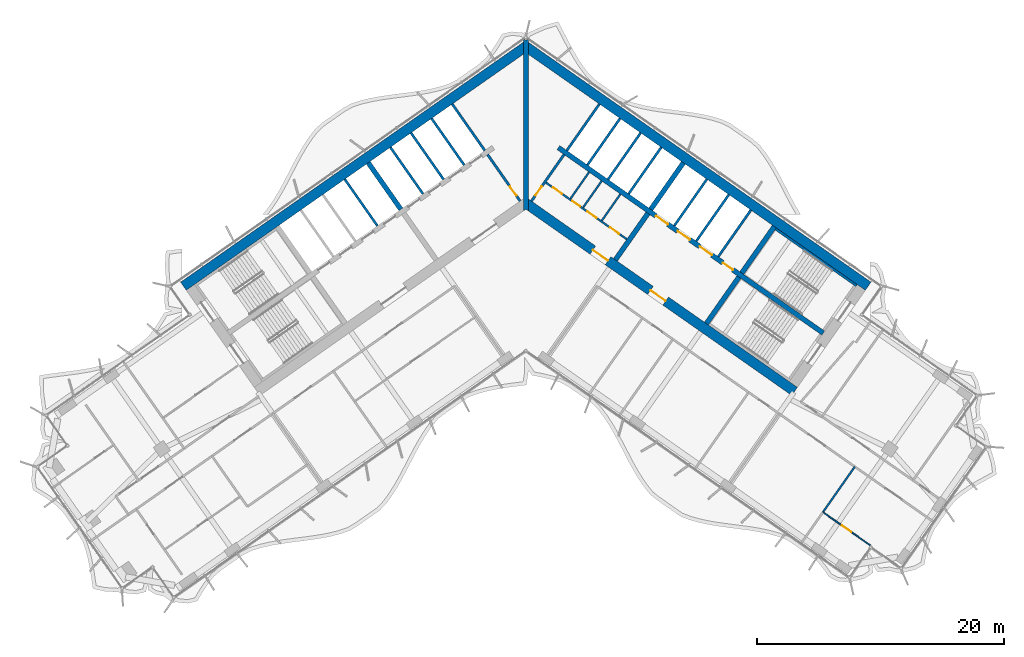
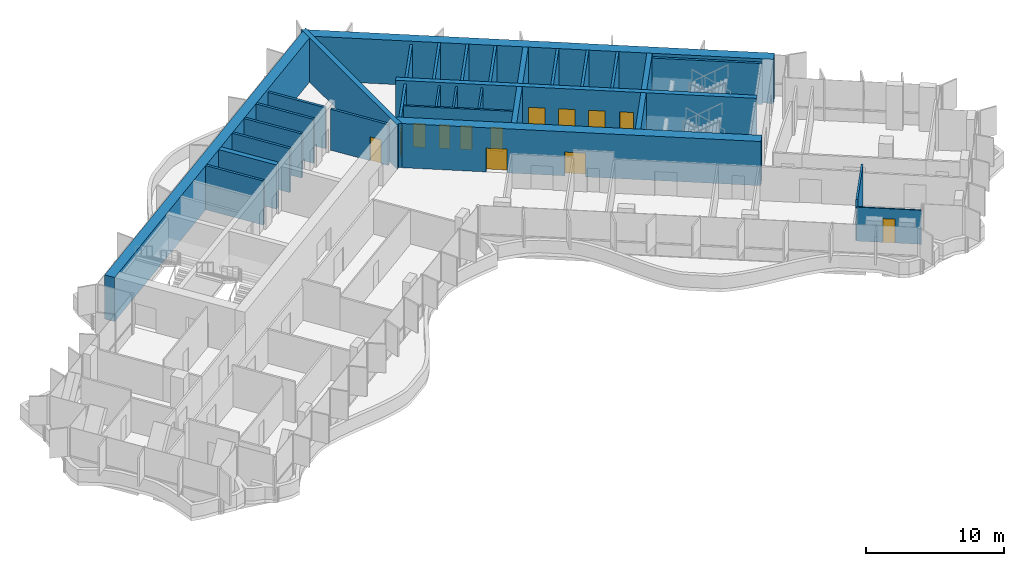
# One storey, part 14 of 21: 31 walls, 13 doors, 13 openings.
"""IFC4 building model written with IfcOpenShell, lengths in metres."""

from ifc_helpers import new_model, si_unit, direction, frame, frame_2d, origin, place, context, subcontext, project, spatial, polyline, rectangle, outline, extrude, material, layer, layer_set, type_object, element, fill, save


model = new_model("IFC4")

# Units and contexts
model_context = context("Model", 3, precision=1e-05, world=origin(), true_north=direction((0.0, 1.0)))
body_context = subcontext(model_context, "Body", "Model", "MODEL_VIEW")
ifc_project = project(units=[si_unit("LENGTHUNIT", "METRE"), si_unit("AREAUNIT", "SQUARE_METRE"), si_unit("VOLUMEUNIT", "CUBIC_METRE"), si_unit("PLANEANGLEUNIT", "RADIAN"), si_unit("MASSUNIT", "GRAM", prefix="KILO")], contexts=[model_context])

# Site, building, storey
site_placement = place(None, origin())
site = spatial("IfcSite", under=ifc_project, at=site_placement, CompositionType="ELEMENT")
building_placement = place(site_placement, origin())
building = spatial("IfcBuilding", under=site, at=building_placement, Name="Tel Ilan Convention Tower", CompositionType="ELEMENT")
storey_placement = place(building_placement, frame((0.0, 0.0, 163.199951171875)))
storey = spatial("IfcBuildingStorey", under=building, at=storey_placement, Name="L37", CompositionType="ELEMENT", Elevation=163.199951171875)

# Wall, openings, doors
ifc_material_1 = material(Name="Gypsum Plasterboard on Steel Stud", Category="steel")
ifc_layer_1 = layer(ifc_material_1, 0.14990234375)
ifc_layer_set_1 = layer_set([ifc_layer_1], Name="Core Room Partition Wall 150 mm EI 60")
wall_type_1 = type_object("IfcWallType", Name="Core Room Partition Wall 150 mm EI 60", PredefinedType="PARTITIONING", material=ifc_layer_set_1)
wall_1_placement = place(storey_placement, frame((1.63037109375, 0.93359375, 0.0), z_axis=(0.0, 0.0, 1.0), x_axis=(0.819165963305, -0.573556557423, 0.0)))
wall_1 = element("IfcWall", 1, at=wall_1_placement, inside=storey, type_object=wall_type_1, Name="L37 core wall wc-h1", PredefinedType="PARTITIONING", context=body_context, shape_type="SweptSolid", body=[
    extrude(rectangle(XDim=7.999755859375, YDim=0.14990234375, at=frame_2d((4.0, 0.0))), origin(), (0.0, 0.0, 1.0), 3.6201171875),
])
opening_1_placement = place(wall_1_placement, frame((0.699951171875, 0.0, 0.0)))
opening_1 = element("IfcOpeningElement", 2, at=opening_1_placement, cuts=wall_1, Name="Opening CD2910", PredefinedType="OPENING", context=body_context, shape_type="SweptSolid", body=[
    extrude(rectangle(XDim=0.89990234375, YDim=2.10009765625, at=frame_2d((0.449951171875, 1.050048828125))), frame((0.0, 0.0849609375, 0.0), z_axis=(0.0, -1.0, 0.0), x_axis=(1.0, 0.0, 0.0)), (0.0, 0.0, 1.0), 0.169921875),
])
opening_2_placement = place(wall_1_placement, frame((2.60009765625, 0.0, 0.0)))
opening_2 = element("IfcOpeningElement", 3, at=opening_2_placement, cuts=wall_1, Name="Opening CD2909", PredefinedType="OPENING", context=body_context, shape_type="SweptSolid", body=[
    extrude(rectangle(XDim=0.800048828125, YDim=2.10009765625, at=frame_2d((0.39990234375, 1.050048828125))), frame((0.0, 0.0849609375, 0.0), z_axis=(0.0, -1.0, 0.0), x_axis=(1.0, 0.0, 0.0)), (0.0, 0.0, 1.0), 0.169921875),
])
opening_3_placement = place(wall_1_placement, frame((4.10009765625, 0.0, 0.0)))
opening_3 = element("IfcOpeningElement", 4, at=opening_3_placement, cuts=wall_1, Name="Opening CD2908", PredefinedType="OPENING", context=body_context, shape_type="SweptSolid", body=[
    extrude(rectangle(XDim=0.89990234375, YDim=2.10009765625, at=frame_2d((0.449951171875, 1.050048828125))), frame((0.0, 0.0849609375, 0.0), z_axis=(0.0, -1.0, 0.0), x_axis=(1.0, 0.0, 0.0)), (0.0, 0.0, 1.0), 0.169921875),
])
opening_4_placement = place(wall_1_placement, frame((6.324951171875, 0.0, 0.0)))
opening_4 = element("IfcOpeningElement", 5, at=opening_4_placement, cuts=wall_1, Name="Opening CD2911", PredefinedType="OPENING", context=body_context, shape_type="SweptSolid", body=[
    extrude(rectangle(XDim=0.89990234375, YDim=2.10009765625, at=frame_2d((0.449951171875, 1.050048828125))), frame((0.0, 0.0849609375, 0.0), z_axis=(0.0, -1.0, 0.0), x_axis=(1.0, 0.0, 0.0)), (0.0, 0.0, 1.0), 0.169921875),
])
ifc_material_2 = material(Name="Galvanised Steel Door Leaf", Category="steel")
door_type_1 = type_object("IfcDoorType", Name="Store Door 800 x 2100 FD60", OperationType="NOTDEFINED", PredefinedType="DOOR", material=ifc_material_2)
door_1_placement = place(opening_2_placement, origin())
door_1 = element("IfcDoor", 6, at=door_1_placement, inside=storey, type_object=door_type_1, Name="Cleaner's store door", OperationType="SINGLE_SWING_RIGHT", OverallHeight=2.10009765625, OverallWidth=0.800048828125, PredefinedType="DOOR", context=body_context, shape_type="SweptSolid", body=[
    extrude(rectangle(XDim=0.800048828125, YDim=2.10009765625, at=frame_2d((0.39990234375, 1.050048828125))), frame((0.0, 0.02490234375, 0.0), z_axis=(0.0, -1.0, 0.0), x_axis=(1.0, 0.0, 0.0)), (0.0, 0.0, 1.0), 0.050048828125),
])
fill(opening_2, door_1)
ifc_material_3 = material(Name="Laminated Timber Door Leaf", Category="wood")
door_type_2 = type_object("IfcDoorType", Name="Toilet Door 900 x 2100 FD30S", OperationType="NOTDEFINED", PredefinedType="DOOR", material=ifc_material_3)
door_2_placement = place(opening_1_placement, origin())
door_2 = element("IfcDoor", 7, at=door_2_placement, inside=storey, type_object=door_type_2, Name="Men's WC door", OperationType="SINGLE_SWING_RIGHT", OverallHeight=2.10009765625, OverallWidth=0.89990234375, PredefinedType="DOOR", context=body_context, shape_type="SweptSolid", body=[
    extrude(rectangle(XDim=0.89990234375, YDim=2.10009765625, at=frame_2d((0.449951171875, 1.050048828125))), frame((0.0, 0.02490234375, 0.0), z_axis=(0.0, -1.0, 0.0), x_axis=(1.0, 0.0, 0.0)), (0.0, 0.0, 1.0), 0.050048828125),
])
fill(opening_1, door_2)
door_3_placement = place(opening_3_placement, origin())
door_3 = element("IfcDoor", 8, at=door_3_placement, inside=storey, type_object=door_type_2, Name="Accessible WC door", OperationType="SINGLE_SWING_RIGHT", OverallHeight=2.10009765625, OverallWidth=0.89990234375, PredefinedType="DOOR", context=body_context, shape_type="SweptSolid", body=[
    extrude(rectangle(XDim=0.89990234375, YDim=2.10009765625, at=frame_2d((0.449951171875, 1.050048828125))), frame((0.0, 0.02490234375, 0.0), z_axis=(0.0, -1.0, 0.0), x_axis=(1.0, 0.0, 0.0)), (0.0, 0.0, 1.0), 0.050048828125),
])
fill(opening_3, door_3)
door_4_placement = place(opening_4_placement, origin())
door_4 = element("IfcDoor", 9, at=door_4_placement, inside=storey, type_object=door_type_2, Name="Women's WC door", OperationType="SINGLE_SWING_RIGHT", OverallHeight=2.10009765625, OverallWidth=0.89990234375, PredefinedType="DOOR", context=body_context, shape_type="SweptSolid", body=[
    extrude(rectangle(XDim=0.89990234375, YDim=2.10009765625, at=frame_2d((0.449951171875, 1.050048828125))), frame((0.0, 0.02490234375, 0.0), z_axis=(0.0, -1.0, 0.0), x_axis=(1.0, 0.0, 0.0)), (0.0, 0.0, 1.0), 0.050048828125),
])
fill(opening_4, door_4)

# Walls
for number, where, z_axis, x_axis, name in (
    (10, (3.618896484375, -0.3671875, 0.0), (0.0, 0.0, 1.0), (0.573549726504, 0.819170746076, 0.0), "L37 core wall wc-v0"),
    (11, (4.642822265625, -1.083984375, 0.0), (0.0, 0.0, 1.0), (0.573593425114, 0.819140148367, 0.0), "L37 core wall wc-v1"),
    (12, (6.158203125, -2.145263671875, 0.0), (0.0, 0.0, 1.0), (0.573549726504, 0.819170746076, 0.0), "L37 core wall wc-v2"),
):
    element("IfcWall", number, at=place(storey_placement, frame(where, z_axis=z_axis, x_axis=x_axis)), inside=storey, type_object=wall_type_1, Name=name, PredefinedType="PARTITIONING", context=body_context, shape_type="SweptSolid", body=[
        extrude(rectangle(XDim=2.625, YDim=0.14990234375, at=frame_2d((1.3125, 0.0))), origin(), (0.0, 0.0, 1.0), 3.6201171875),
    ])

# Wall, opening, door
ifc_material_4 = material(Name="Concrete C30/37", Category="concrete")
ifc_layer_2 = layer(ifc_material_4, 0.199951171875)
ifc_layer_set_2 = layer_set([ifc_layer_2], Name="Core Service Room Wall 200 mm C30/37")
wall_type_2 = type_object("IfcWallType", Name="Core Service Room Wall 200 mm C30/37", PredefinedType="SOLIDWALL", material=ifc_layer_set_2)
wall_2_placement = place(storey_placement, frame((-0.458740234375, -0.565185546875, 0.0), z_axis=(0.0, 0.0, 1.0), x_axis=(-0.573576324356, 0.819152122709, 0.0)))
wall_2 = element("IfcWall", 13, at=wall_2_placement, inside=storey, type_object=wall_type_2, Name="L37 core wall apex-W", PredefinedType="SOLIDWALL", context=body_context, shape_type="SweptSolid", body=[
    extrude(rectangle(XDim=4.599853515625, YDim=0.199951171875, at=frame_2d((2.2998046875, 0.0))), origin(), (0.0, 0.0, 1.0), 3.6201171875),
])
opening_5_placement = place(wall_2_placement, frame((0.550048828125, 0.0, 0.0)))
opening_5 = element("IfcOpeningElement", 14, at=opening_5_placement, cuts=wall_2, Name="Opening CD2902", PredefinedType="OPENING", context=body_context, shape_type="SweptSolid", body=[
    extrude(rectangle(XDim=0.89990234375, YDim=2.10009765625, at=frame_2d((0.449951171875, 1.050048828125))), frame((0.0, 0.10986328125, 0.0), z_axis=(0.0, -1.0, 0.0), x_axis=(1.0, 0.0, 0.0)), (0.0, 0.0, 1.0), 0.219970703125),
])
ifc_material_5 = material(Name="Galvanised Steel Door Leaf", Category="steel")
door_type_3 = type_object("IfcDoorType", Name="Service Room Door 900 x 2100 FD60", OperationType="NOTDEFINED", PredefinedType="DOOR", material=ifc_material_5)
door_5_placement = place(opening_5_placement, origin())
door_5 = element("IfcDoor", 15, at=door_5_placement, inside=storey, type_object=door_type_3, Name="Riser Room door", OperationType="SINGLE_SWING_RIGHT", OverallHeight=2.10009765625, OverallWidth=0.89990234375, PredefinedType="DOOR", context=body_context, shape_type="SweptSolid", body=[
    extrude(rectangle(XDim=0.89990234375, YDim=2.10009765625, at=frame_2d((0.449951171875, 1.050048828125))), frame((0.0, 0.02490234375, 0.0), z_axis=(0.0, -1.0, 0.0), x_axis=(1.0, 0.0, 0.0)), (0.0, 0.0, 1.0), 0.050048828125),
])
fill(opening_5, door_5)

# Wall
wall_3_placement = place(storey_placement, frame((-3.32666015625, 3.530517578125, 0.0), z_axis=(0.0, 0.0, 1.0), x_axis=(-0.573576324356, 0.819152122709, 0.0)))
element("IfcWall", 16, at=wall_3_placement, inside=storey, type_object=wall_type_2, Name="L37 core wall apex-W-b", PredefinedType="SOLIDWALL", context=body_context, shape_type="SweptSolid", body=[
    extrude(rectangle(XDim=4.599853515625, YDim=0.199951171875, at=frame_2d((2.2998046875, 0.0))), origin(), (0.0, 0.0, 1.0), 3.6201171875),
])

# Wall, opening, door
wall_4_placement = place(storey_placement, frame((0.458740234375, -0.565185546875, 0.0), z_axis=(0.0, 0.0, 1.0), x_axis=(0.573576324356, 0.819152122709, 0.0)))
wall_4 = element("IfcWall", 17, at=wall_4_placement, inside=storey, type_object=wall_type_2, Name="L37 core wall apex-E", PredefinedType="SOLIDWALL", context=body_context, shape_type="SweptSolid", body=[
    extrude(rectangle(XDim=4.599853515625, YDim=0.199951171875, at=frame_2d((2.2998046875, 0.0))), origin(), (0.0, 0.0, 1.0), 3.6201171875),
])
opening_6_placement = place(wall_4_placement, frame((0.550048828125, 0.0, 0.0)))
opening_6 = element("IfcOpeningElement", 18, at=opening_6_placement, cuts=wall_4, Name="Opening CD2901", PredefinedType="OPENING", context=body_context, shape_type="SweptSolid", body=[
    extrude(rectangle(XDim=0.89990234375, YDim=2.10009765625, at=frame_2d((0.449951171875, 1.050048828125))), frame((0.0, 0.10986328125, 0.0), z_axis=(0.0, -1.0, 0.0), x_axis=(1.0, 0.0, 0.0)), (0.0, 0.0, 1.0), 0.219970703125),
])
door_6_placement = place(opening_6_placement, origin())
door_6 = element("IfcDoor", 19, at=door_6_placement, inside=storey, type_object=door_type_3, Name="Electrical Room door", OperationType="SINGLE_SWING_RIGHT", OverallHeight=2.10009765625, OverallWidth=0.89990234375, PredefinedType="DOOR", context=body_context, shape_type="SweptSolid", body=[
    extrude(rectangle(XDim=0.89990234375, YDim=2.10009765625, at=frame_2d((0.449951171875, 1.050048828125))), frame((0.0, 0.02490234375, 0.0), z_axis=(0.0, -1.0, 0.0), x_axis=(1.0, 0.0, 0.0)), (0.0, 0.0, 1.0), 0.050048828125),
])
fill(opening_6, door_6)

# Walls
wall_5_placement = place(storey_placement, frame((3.32666015625, 3.530517578125, 0.0), z_axis=(0.0, 0.0, 1.0), x_axis=(0.573576324356, 0.819152122709, 0.0)))
element("IfcWall", 20, at=wall_5_placement, inside=storey, type_object=wall_type_2, Name="L37 core wall apex-E-b", PredefinedType="SOLIDWALL", context=body_context, shape_type="SweptSolid", body=[
    extrude(rectangle(XDim=4.599853515625, YDim=0.199951171875, at=frame_2d((2.2998046875, 0.0))), origin(), (0.0, 0.0, 1.0), 3.6201171875),
])
ifc_material_6 = material(Name="Concrete C50/60", Category="concrete")
ifc_layer_3 = layer(ifc_material_6, 0.39990234375)
ifc_layer_set_3 = layer_set([ifc_layer_3], Name="Core Shear Wall 400 mm C50/60")
wall_type_3 = type_object("IfcWallType", Name="Core Shear Wall 400 mm C50/60", PredefinedType="SHEAR", material=ifc_layer_set_3)
wall_6_placement = place(storey_placement, frame((-10.12548828125, -1.230224609375, 0.0), z_axis=(0.0, 0.0, 1.0), x_axis=(-0.573576324356, 0.819152122709, 0.0)))
element("IfcWall", 21, at=wall_6_placement, inside=storey, type_object=wall_type_3, Name="L37 core wall W-cross1-2", PredefinedType="SHEAR", context=body_context, shape_type="SweptSolid", body=[
    extrude(outline(polyline([(4.60009765625, -0.199951171875), (4.599853515625, 0.199951171875), (0.0, 0.2001953125), (0.0, -0.199951171875), (4.60009765625, -0.199951171875)])), origin(), (0.0, 0.0, 1.0), 3.900146484375),
])
wall_7_placement = place(storey_placement, frame((7.2578125, -5.325927734375, 0.0), z_axis=(0.0, 0.0, 1.0), x_axis=(0.573540709186, 0.819177059558, 0.0)))
element("IfcWall", 22, at=wall_7_placement, inside=storey, type_object=wall_type_3, Name="L37 core wall E-cross1-1", PredefinedType="SHEAR", context=body_context, shape_type="SweptSolid", body=[
    extrude(outline(polyline([(-0.000244140625, 0.2001953125), (-0.000244140625, -0.199951171875), (4.599853515625, -0.2001953125), (4.599853515625, 0.199951171875), (-0.000244140625, 0.2001953125)])), origin(), (0.0, 0.0, 1.0), 3.900146484375),
])
wall_8_placement = place(storey_placement, frame((10.12548828125, -1.230224609375, 0.0), z_axis=(0.0, 0.0, 1.0), x_axis=(0.573576324356, 0.819152122709, 0.0)))
element("IfcWall", 23, at=wall_8_placement, inside=storey, type_object=wall_type_3, Name="L37 core wall E-cross1-2", PredefinedType="SHEAR", context=body_context, shape_type="SweptSolid", body=[
    extrude(outline(polyline([(4.599853515625, -0.199951171875), (4.60009765625, 0.199951171875), (0.0, 0.199951171875), (0.0, -0.2001953125), (4.599853515625, -0.199951171875)])), origin(), (0.0, 0.0, 1.0), 3.900146484375),
])
wall_9_placement = place(storey_placement, frame((14.6298828125, -10.48828125, 0.0), z_axis=(0.0, 0.0, 1.0), x_axis=(0.573611936273, 0.819127185829, 0.0)))
element("IfcWall", 24, at=wall_9_placement, inside=storey, type_object=wall_type_3, Name="L37 core wall E-cross2-1", PredefinedType="SHEAR", context=body_context, shape_type="SweptSolid", body=[
    extrude(outline(polyline([(0.000244140625, 0.199951171875), (0.000244140625, -0.2001953125), (4.60009765625, -0.199951171875), (4.60009765625, 0.2001953125), (0.000244140625, 0.199951171875)])), origin(), (0.0, 0.0, 1.0), 3.900146484375),
])
wall_10_placement = place(storey_placement, frame((17.497802734375, -6.392333984375, 0.0), z_axis=(0.0, 0.0, 1.0), x_axis=(0.573611936273, 0.819127185829, 0.0)))
element("IfcWall", 25, at=wall_10_placement, inside=storey, type_object=wall_type_3, Name="L37 core wall E-cross2-2", PredefinedType="SHEAR", context=body_context, shape_type="SweptSolid", body=[
    extrude(outline(polyline([(4.599853515625, -0.199951171875), (4.599853515625, 0.2001953125), (0.0, 0.199951171875), (0.0, -0.2001953125), (4.599853515625, -0.199951171875)])), origin(), (0.0, 0.0, 1.0), 3.900146484375),
])

# Wall, openings, doors
wall_11_placement = place(storey_placement, frame((2.638427734375, 3.76806640625, 0.0), z_axis=(0.0, 0.0, 1.0), x_axis=(0.81915267502, -0.573575535572, 0.0)))
wall_11 = element("IfcWall", 26, at=wall_11_placement, inside=storey, type_object=wall_type_3, Name="L37 core wall E-spine", PredefinedType="SHEAR", context=body_context, shape_type="SweptSolid", body=[
    extrude(outline(polyline([(0.0, 0.199951171875), (0.0, -0.199951171875), (26.199951171875, -0.199951171875), (26.199951171875, 0.199951171875), (0.0, 0.199951171875)])), origin(), (0.0, 0.0, 1.0), 3.900146484375),
])
opening_7_placement = place(wall_11_placement, frame((9.637451171875, 0.0, 0.0)))
opening_7 = element("IfcOpeningElement", 27, at=opening_7_placement, cuts=wall_11, Name="Opening LD2901", PredefinedType="OPENING", context=body_context, shape_type="SweptSolid", body=[
    extrude(rectangle(XDim=1.199951171875, YDim=2.10009765625, at=frame_2d((0.60009765625, 1.050048828125))), frame((0.0, 0.2099609375, 0.0), z_axis=(0.0, -1.0, 0.0), x_axis=(1.0, 0.0, 0.0)), (0.0, 0.0, 1.0), 0.419921875),
])
opening_8_placement = place(wall_11_placement, frame((11.8125, 0.0, 0.0)))
opening_8 = element("IfcOpeningElement", 28, at=opening_8_placement, cuts=wall_11, Name="Opening LD2902", PredefinedType="OPENING", context=body_context, shape_type="SweptSolid", body=[
    extrude(rectangle(XDim=1.199951171875, YDim=2.10009765625, at=frame_2d((0.60009765625, 1.050048828125))), frame((0.0, 0.2099609375, 0.0), z_axis=(0.0, -1.0, 0.0), x_axis=(1.0, 0.0, 0.0)), (0.0, 0.0, 1.0), 0.419921875),
])
opening_9_placement = place(wall_11_placement, frame((13.987548828125, 0.0, 0.0)))
opening_9 = element("IfcOpeningElement", 29, at=opening_9_placement, cuts=wall_11, Name="Opening LD2903", PredefinedType="OPENING", context=body_context, shape_type="SweptSolid", body=[
    extrude(rectangle(XDim=1.199951171875, YDim=2.10009765625, at=frame_2d((0.60009765625, 1.050048828125))), frame((0.0, 0.2099609375, 0.0), z_axis=(0.0, -1.0, 0.0), x_axis=(1.0, 0.0, 0.0)), (0.0, 0.0, 1.0), 0.419921875),
])
opening_10_placement = place(wall_11_placement, frame((16.262451171875, 0.0, 0.0)))
opening_10 = element("IfcOpeningElement", 30, at=opening_10_placement, cuts=wall_11, Name="Opening CD2907", PredefinedType="OPENING", context=body_context, shape_type="SweptSolid", body=[
    extrude(rectangle(XDim=1.0, YDim=2.10009765625, at=frame_2d((0.5, 1.050048828125))), frame((0.0, 0.2099609375, 0.0), z_axis=(0.0, -1.0, 0.0), x_axis=(1.0, 0.0, 0.0)), (0.0, 0.0, 1.0), 0.419921875),
])
ifc_material_7 = material(Name="Stainless Steel Sliding Door Leaf", Category="steel")
door_type_4 = type_object("IfcDoorType", Name="Lift Landing Door 1200 x 2100 FD120", OperationType="NOTDEFINED", PredefinedType="DOOR", material=ifc_material_7)
door_7_placement = place(opening_7_placement, origin())
door_7 = element("IfcDoor", 31, at=door_7_placement, inside=storey, type_object=door_type_4, Name="Lift FL1 landing door", OperationType="SLIDING_TO_LEFT", OverallHeight=2.10009765625, OverallWidth=1.199951171875, PredefinedType="DOOR", context=body_context, shape_type="SweptSolid", body=[
    extrude(rectangle(XDim=1.199951171875, YDim=2.10009765625, at=frame_2d((0.60009765625, 1.050048828125))), frame((0.0, 0.02490234375, 0.0), z_axis=(0.0, -1.0, 0.0), x_axis=(1.0, 0.0, 0.0)), (0.0, 0.0, 1.0), 0.050048828125),
])
fill(opening_7, door_7)
door_8_placement = place(opening_8_placement, origin())
door_8 = element("IfcDoor", 32, at=door_8_placement, inside=storey, type_object=door_type_4, Name="Lift FL2 landing door", OperationType="SLIDING_TO_RIGHT", OverallHeight=2.10009765625, OverallWidth=1.199951171875, PredefinedType="DOOR", context=body_context, shape_type="SweptSolid", body=[
    extrude(rectangle(XDim=1.199951171875, YDim=2.10009765625, at=frame_2d((0.60009765625, 1.050048828125))), frame((0.0, 0.02490234375, 0.0), z_axis=(0.0, -1.0, 0.0), x_axis=(1.0, 0.0, 0.0)), (0.0, 0.0, 1.0), 0.050048828125),
])
fill(opening_8, door_8)
door_9_placement = place(opening_9_placement, origin())
door_9 = element("IfcDoor", 33, at=door_9_placement, inside=storey, type_object=door_type_4, Name="Lift FL3 landing door", OperationType="SLIDING_TO_LEFT", OverallHeight=2.10009765625, OverallWidth=1.199951171875, PredefinedType="DOOR", context=body_context, shape_type="SweptSolid", body=[
    extrude(rectangle(XDim=1.199951171875, YDim=2.10009765625, at=frame_2d((0.60009765625, 1.050048828125))), frame((0.0, 0.02490234375, 0.0), z_axis=(0.0, -1.0, 0.0), x_axis=(1.0, 0.0, 0.0)), (0.0, 0.0, 1.0), 0.050048828125),
])
fill(opening_9, door_9)
ifc_material_8 = material(Name="Galvanised Steel Door Leaf", Category="steel")
door_type_5 = type_object("IfcDoorType", Name="Service Room Door 1000 x 2100 FD60", OperationType="NOTDEFINED", PredefinedType="DOOR", material=ifc_material_8)
door_10_placement = place(opening_10_placement, origin())
door_10 = element("IfcDoor", 34, at=door_10_placement, inside=storey, type_object=door_type_5, Name="Plant Room door", OperationType="SINGLE_SWING_RIGHT", OverallHeight=2.10009765625, OverallWidth=1.0, PredefinedType="DOOR", context=body_context, shape_type="SweptSolid", body=[
    extrude(rectangle(XDim=1.0, YDim=2.10009765625, at=frame_2d((0.5, 1.050048828125))), frame((0.0, 0.02490234375, 0.0), z_axis=(0.0, -1.0, 0.0), x_axis=(1.0, 0.0, 0.0)), (0.0, 0.0, 1.0), 0.050048828125),
])
fill(opening_10, door_10)

# Walls
wall_12_placement = place(storey_placement, frame((0.0, -1.36083984375, 0.0), z_axis=(0.0, 0.0, 1.0), x_axis=(0.0, 1.0, 0.0)))
element("IfcWall", 35, at=wall_12_placement, inside=storey, type_object=wall_type_3, Name="L37 core wall K-central", PredefinedType="SHEAR", context=body_context, shape_type="SweptSolid", body=[
    extrude(outline(polyline([(0.0, -0.199951171875), (0.14013671875, -0.199951171875), (1.0751953125, -0.199951171875), (12.696044921875, -0.199951171875), (13.812744140625, -0.199951171875), (13.893310546875, -0.199951171875), (13.933349609375, -0.172119140625), (13.812744140625, 0.0), (13.933349609375, 0.172119140625), (13.893310546875, 0.199951171875), (13.812744140625, 0.199951171875), (12.696044921875, 0.199951171875), (1.0751953125, 0.199951171875), (0.14013671875, 0.199951171875), (0.0, 0.199951171875), (0.14013671875, 0.0), (0.0, -0.199951171875)])), origin(), (0.0, 0.0, 1.0), 3.900146484375),
])
ifc_material_9 = material(Name="Concrete C50/60", Category="concrete")
ifc_layer_4 = layer(ifc_material_9, 0.800048828125)
ifc_layer_set_4 = layer_set([ifc_layer_4], Name="Core Shear Wall 800 mm C50/60")
wall_type_4 = type_object("IfcWallType", Name="Core Shear Wall 800 mm C50/60", PredefinedType="SHEAR", material=ifc_layer_set_4)
wall_13_placement = place(storey_placement, frame((0.029296875, 11.984130859375, 0.0), z_axis=(0.0, 0.0, 1.0), x_axis=(-0.819151382952, -0.573577380837, 0.0)))
element("IfcWall", 36, at=wall_13_placement, inside=storey, type_object=wall_type_4, Name="L37 core wall W-back", PredefinedType="SHEAR", context=body_context, shape_type="SweptSolid", body=[
    extrude(outline(polyline([(33.897705078125, 0.39990234375), (0.56005859375, 0.400146484375), (-0.000244140625, -0.39990234375), (33.897705078125, -0.400146484375), (33.897705078125, 0.39990234375)])), origin(), (0.0, 0.0, 1.0), 3.900146484375),
])
wall_14_placement = place(storey_placement, frame((-0.029296875, 11.984130859375, 0.0), z_axis=(0.0, 0.0, 1.0), x_axis=(0.819151382952, -0.573577380837, 0.0)))
element("IfcWall", 37, at=wall_14_placement, inside=storey, type_object=wall_type_4, Name="L37 core wall E-back", PredefinedType="SHEAR", context=body_context, shape_type="SweptSolid", body=[
    extrude(outline(polyline([(33.897705078125, 0.400146484375), (-0.000244140625, 0.39990234375), (0.56005859375, -0.400146484375), (33.897705078125, -0.39990234375), (33.897705078125, 0.400146484375)])), origin(), (0.0, 0.0, 1.0), 3.900146484375),
])

# Wall, openings, doors
wall_15_placement = place(storey_placement, frame((-0.029296875, -0.7119140625, 0.0), z_axis=(0.0, 0.0, 1.0), x_axis=(0.819151758019, -0.573576845187, 0.0)))
wall_15 = element("IfcWall", 38, at=wall_15_placement, inside=storey, type_object=wall_type_4, Name="L37 core wall E-front", PredefinedType="SHEAR", context=body_context, shape_type="SweptSolid", body=[
    extrude(outline(polyline([(26.61572265625, 0.39990234375), (-0.000244140625, 0.39990234375), (0.56005859375, -0.39990234375), (26.61572265625, -0.39990234375), (26.61572265625, 0.39990234375)])), origin(), (0.0, 0.0, 1.0), 3.900146484375),
])
opening_11_placement = place(wall_15_placement, frame((6.665771484375, 0.0, 0.0)))
opening_11 = element("IfcOpeningElement", 39, at=opening_11_placement, cuts=wall_15, Name="Opening CD2903", PredefinedType="OPENING", context=body_context, shape_type="SweptSolid", body=[
    extrude(rectangle(XDim=1.5, YDim=2.10009765625, at=frame_2d((0.75, 1.050048828125))), frame((0.0, 0.409912109375, 0.0), z_axis=(0.0, -1.0, 0.0), x_axis=(1.0, 0.0, 0.0)), (0.0, 0.0, 1.0), 0.820068359375),
])
opening_12_placement = place(wall_15_placement, frame((12.36572265625, 0.0, 0.0)))
opening_12 = element("IfcOpeningElement", 40, at=opening_12_placement, cuts=wall_15, Name="Opening CD2904", PredefinedType="OPENING", context=body_context, shape_type="SweptSolid", body=[
    extrude(rectangle(XDim=1.5, YDim=2.10009765625, at=frame_2d((0.75, 1.050048828125))), frame((0.0, 0.409912109375, 0.0), z_axis=(0.0, -1.0, 0.0), x_axis=(1.0, 0.0, 0.0)), (0.0, 0.0, 1.0), 0.820068359375),
])
ifc_material_10 = material(Name="Glazed Aluminium Door Leaf", Category="aluminium")
door_type_6 = type_object("IfcDoorType", Name="Lobby Opening Door 1500 x 2100 FD60S", OperationType="NOTDEFINED", PredefinedType="DOOR", material=ifc_material_10)
door_11_placement = place(opening_12_placement, origin())
door_11 = element("IfcDoor", 41, at=door_11_placement, inside=storey, type_object=door_type_6, Name="Firefighting Lobby door", OperationType="DOUBLE_DOOR_SINGLE_SWING", OverallHeight=2.10009765625, OverallWidth=1.5, PredefinedType="DOOR", context=body_context, shape_type="SweptSolid", body=[
    extrude(rectangle(XDim=1.5, YDim=2.10009765625, at=frame_2d((0.75, 1.050048828125))), frame((0.0, 0.02490234375, 0.0), z_axis=(0.0, -1.0, 0.0), x_axis=(1.0, 0.0, 0.0)), (0.0, 0.0, 1.0), 0.050048828125),
])
fill(opening_12, door_11)
ifc_material_11 = material(Name="Laminated Timber Door Leaf", Category="wood")
door_type_7 = type_object("IfcDoorType", Name="Toilet Door 1500 x 2100 FD30S", OperationType="NOTDEFINED", PredefinedType="DOOR", material=ifc_material_11)
door_12_placement = place(opening_11_placement, origin())
door_12 = element("IfcDoor", 42, at=door_12_placement, inside=storey, type_object=door_type_7, Name="WC Lobby door", OperationType="SINGLE_SWING_RIGHT", OverallHeight=2.10009765625, OverallWidth=1.5, PredefinedType="DOOR", context=body_context, shape_type="SweptSolid", body=[
    extrude(rectangle(XDim=1.5, YDim=2.10009765625, at=frame_2d((0.75, 1.050048828125))), frame((0.0, 0.02490234375, 0.0), z_axis=(0.0, -1.0, 0.0), x_axis=(1.0, 0.0, 0.0)), (0.0, 0.0, 1.0), 0.050048828125),
])
fill(opening_11, door_12)

# Walls
ifc_material_12 = material(Name="Plasterboard on Steel Studs", Category="steel")
ifc_layer_5 = layer(ifc_material_12, 0.14990234375)
ifc_layer_set_5 = layer_set([ifc_layer_5], Name="Fire-rated Partition 150 EI 60")
wall_type_5 = type_object("IfcWallType", Name="Fire-rated Partition 150 EI 60", PredefinedType="PARTITIONING", material=ifc_layer_set_5)
wall_16_placement = place(storey_placement, frame((26.65478515625, -22.08203125, 0.0), z_axis=(0.0, 0.0, 1.0), x_axis=(-0.573589723117, -0.819142740634, 0.0)))
element("IfcWall", 43, at=wall_16_placement, inside=storey, type_object=wall_type_5, Name="Partition 029", PredefinedType="PARTITIONING", context=body_context, shape_type="SweptSolid", body=[
    extrude(rectangle(XDim=4.501953125, YDim=0.14990234375, at=frame_2d((2.2509765625, 0.0))), origin(), (0.0, 0.0, 1.0), 3.6201171875),
])
ifc_material_13 = material(Name="Concrete C30/37", Category="concrete")
ifc_layer_6 = layer(ifc_material_13, 0.199951171875)
ifc_layer_set_6 = layer_set([ifc_layer_6], Name="Lift Shaft Wall 200 mm C30/37")
wall_type_6 = type_object("IfcWallType", Name="Lift Shaft Wall 200 mm C30/37", PredefinedType="SOLIDWALL", material=ifc_layer_set_6)
for number, where, z_axis, x_axis, name in (
    (44, (-4.99560546875, 2.36181640625, 0.0), (0.0, 0.0, 1.0), (-0.573576324356, 0.819152122709, 0.0), "L37 core wall bank-W1-p0"),
    (45, (-6.66455078125, 1.193115234375, 0.0), (0.0, 0.0, 1.0), (-0.573576324356, 0.819152122709, 0.0), "L37 core wall bank-W1-p1"),
):
    element("IfcWall", number, at=place(storey_placement, frame(where, z_axis=z_axis, x_axis=x_axis)), inside=storey, type_object=wall_type_6, Name=name, PredefinedType="SOLIDWALL", context=body_context, shape_type="SweptSolid", body=[
        extrude(rectangle(XDim=4.599853515625, YDim=0.199951171875, at=frame_2d((2.2998046875, 0.0))), origin(), (0.0, 0.0, 1.0), 3.900146484375),
    ])
wall_17_placement = place(storey_placement, frame((-8.33349609375, 0.0244140625, 0.0), z_axis=(0.0, 0.0, 1.0), x_axis=(-0.573611936273, 0.819127185829, 0.0)))
element("IfcWall", 46, at=wall_17_placement, inside=storey, type_object=wall_type_6, Name="L37 core wall bank-W1-p2", PredefinedType="SOLIDWALL", context=body_context, shape_type="SweptSolid", body=[
    extrude(rectangle(XDim=4.60009765625, YDim=0.199951171875, at=frame_2d((2.300048828125, 0.0))), origin(), (0.0, 0.0, 1.0), 3.900146484375),
])
for number, where, z_axis, x_axis, name in (
    (47, (-12.030029296875, -2.563720703125, 0.0), (0.0, 0.0, 1.0), (-0.573576324356, 0.819152122709, 0.0), "L37 core wall bank-W2-p0"),
    (48, (4.99560546875, 2.36181640625, 0.0), (0.0, 0.0, 1.0), (0.573576324356, 0.819152122709, 0.0), "L37 core wall bank-E1-p0"),
    (49, (6.66455078125, 1.193115234375, 0.0), (0.0, 0.0, 1.0), (0.573576324356, 0.819152122709, 0.0), "L37 core wall bank-E1-p1"),
):
    element("IfcWall", number, at=place(storey_placement, frame(where, z_axis=z_axis, x_axis=x_axis)), inside=storey, type_object=wall_type_6, Name=name, PredefinedType="SOLIDWALL", context=body_context, shape_type="SweptSolid", body=[
        extrude(rectangle(XDim=4.599853515625, YDim=0.199951171875, at=frame_2d((2.2998046875, 0.0))), origin(), (0.0, 0.0, 1.0), 3.900146484375),
    ])
wall_18_placement = place(storey_placement, frame((8.33349609375, 0.0244140625, 0.0), z_axis=(0.0, 0.0, 1.0), x_axis=(0.573611936273, 0.819127185829, 0.0)))
element("IfcWall", 50, at=wall_18_placement, inside=storey, type_object=wall_type_6, Name="L37 core wall bank-E1-p2", PredefinedType="SOLIDWALL", context=body_context, shape_type="SweptSolid", body=[
    extrude(rectangle(XDim=4.60009765625, YDim=0.199951171875, at=frame_2d((2.300048828125, 0.0))), origin(), (0.0, 0.0, 1.0), 3.900146484375),
])
for number, where, z_axis, x_axis, name in (
    (51, (12.030029296875, -2.563720703125, 0.0), (0.0, 0.0, 1.0), (0.573576324356, 0.819152122709, 0.0), "L37 core wall bank-E2-p0"),
    (52, (13.811767578125, -3.811279296875, 0.0), (0.0, 0.0, 1.0), (0.573576324356, 0.819152122709, 0.0), "L37 core wall bank-E2-p1"),
    (53, (15.593505859375, -5.058837890625, 0.0), (0.0, 0.0, 1.0), (0.573540709186, 0.819177059558, 0.0), "L37 core wall bank-E2-p2"),
):
    element("IfcWall", number, at=place(storey_placement, frame(where, z_axis=z_axis, x_axis=x_axis)), inside=storey, type_object=wall_type_6, Name=name, PredefinedType="SOLIDWALL", context=body_context, shape_type="SweptSolid", body=[
        extrude(rectangle(XDim=4.599853515625, YDim=0.199951171875, at=frame_2d((2.2998046875, 0.0))), origin(), (0.0, 0.0, 1.0), 3.900146484375),
    ])

# Wall, opening, door
ifc_material_14 = material(Name="Plasterboard on Steel Studs", Category="steel")
ifc_layer_7 = layer(ifc_material_14, 0.10009765625)
ifc_layer_set_7 = layer_set([ifc_layer_7], Name="Plasterboard Partition 100")
wall_type_7 = type_object("IfcWallType", Name="Plasterboard Partition 100", PredefinedType="PARTITIONING", material=ifc_layer_set_7)
wall_19_placement = place(storey_placement, frame((27.923095703125, -28.46484375, 0.0), z_axis=(0.0, 0.0, 1.0), x_axis=(-0.819158704016, 0.573566925158, 0.0)))
wall_19 = element("IfcWall", 54, at=wall_19_placement, inside=storey, type_object=wall_type_7, Name="Partition 030", PredefinedType="PARTITIONING", context=body_context, shape_type="SweptSolid", body=[
    extrude(rectangle(XDim=4.699951171875, YDim=0.10009765625, at=frame_2d((2.35009765625, 0.0))), origin(), (0.0, 0.0, 1.0), 3.0),
])
opening_13_placement = place(wall_19_placement, frame((1.89990234375, 0.0, 0.0)))
opening_13 = element("IfcOpeningElement", 55, at=opening_13_placement, cuts=wall_19, Name="Opening L37-018", PredefinedType="OPENING", context=body_context, shape_type="SweptSolid", body=[
    extrude(rectangle(XDim=0.89990234375, YDim=2.10009765625, at=frame_2d((0.449951171875, 1.050048828125))), frame((0.0, 0.06005859375, 0.0), z_axis=(0.0, -1.0, 0.0), x_axis=(1.0, 0.0, 0.0)), (0.0, 0.0, 1.0), 0.1201171875),
])
ifc_material_15 = material(Name="Timber Door Leaf in Steel Frame", Category="steel")
door_type_8 = type_object("IfcDoorType", Name="Room Timber Door 900x2100", OperationType="NOTDEFINED", PredefinedType="DOOR", material=ifc_material_15)
door_13_placement = place(opening_13_placement, origin())
door_13 = element("IfcDoor", 56, at=door_13_placement, inside=storey, type_object=door_type_8, Name="Door L37-018", OperationType="SINGLE_SWING_RIGHT", OverallHeight=2.10009765625, OverallWidth=0.89990234375, PredefinedType="DOOR", context=body_context, shape_type="SweptSolid", body=[
    extrude(rectangle(XDim=0.89990234375, YDim=2.10009765625, at=frame_2d((0.449951171875, 1.050048828125))), frame((0.0, 0.02490234375, 0.0), z_axis=(0.0, -1.0, 0.0), x_axis=(1.0, 0.0, 0.0)), (0.0, 0.0, 1.0), 0.050048828125),
])
fill(opening_13, door_13)

# Wall
ifc_material_16 = material(Name="Concrete C30/37", Category="concrete")
ifc_layer_8 = layer(ifc_material_16, 0.199951171875)
ifc_layer_set_8 = layer_set([ifc_layer_8], Name="Stair and Shaft Lining Wall 200 mm C30/37")
wall_type_8 = type_object("IfcWallType", Name="Stair and Shaft Lining Wall 200 mm C30/37", PredefinedType="SOLIDWALL", material=ifc_layer_set_8)
wall_20_placement = place(storey_placement, frame((20.242919921875, -2.821044921875, 0.0), z_axis=(0.0, 0.0, 1.0), x_axis=(0.819141584393, -0.57359137434, 0.0)))
element("IfcWall", 57, at=wall_20_placement, inside=storey, type_object=wall_type_8, Name="L37 core wall lining-S3-t1", PredefinedType="SOLIDWALL", context=body_context, shape_type="SweptSolid", body=[
    extrude(rectangle(XDim=7.999755859375, YDim=0.199951171875, at=frame_2d((4.0, 0.0))), origin(), (0.0, 0.0, 1.0), 3.6201171875),
])

save(model, "model.ifc")
